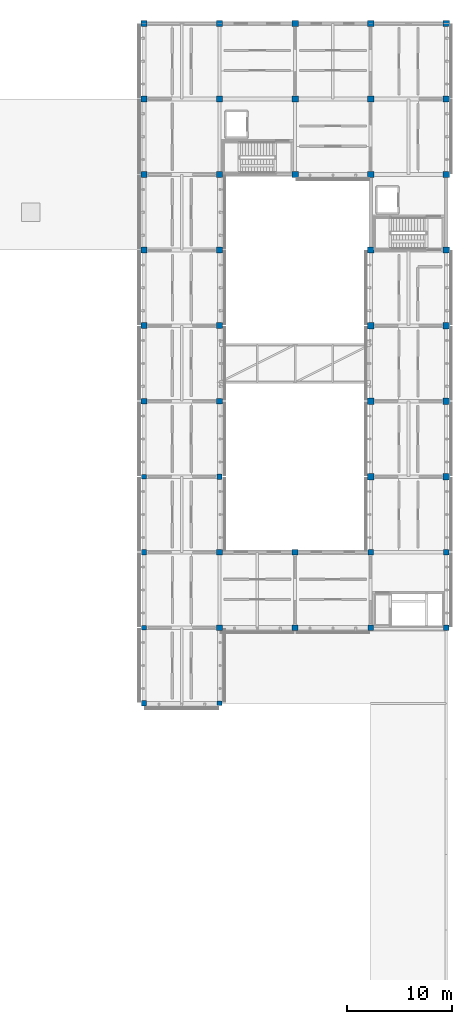
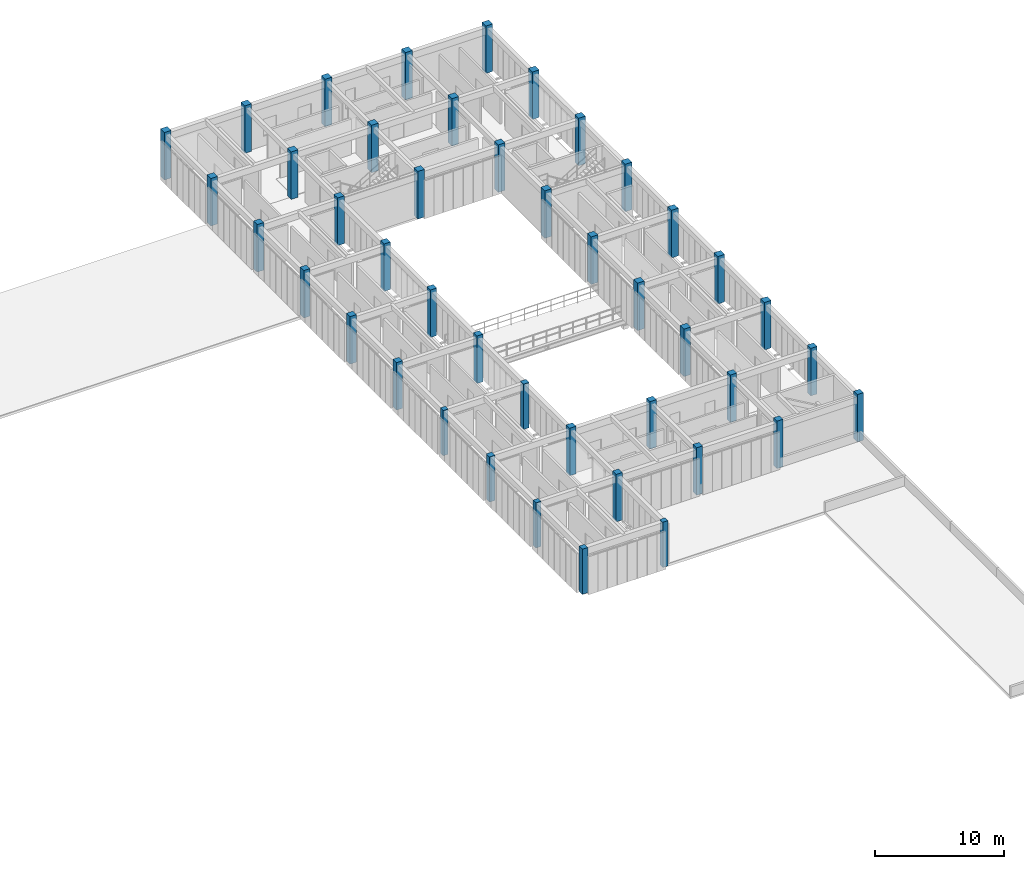
# One storey, part 2 of 91: 43 columns.
"""IFC4 building model written with IfcOpenShell, lengths in metres."""

from ifc_helpers import new_model, si_unit, direction, frame, origin, origin_2d, place, context, subcontext, project, spatial, rectangle, extrude, material, material_profile, profile_set, type_object, element, save


model = new_model("IFC4")

# Units and contexts
model_context = context("Model", 3, precision=1e-05, world=origin(), true_north=direction((0.0, 1.0)))
body_context = subcontext(model_context, "Body", "Model", "MODEL_VIEW")
ifc_project = project(units=[si_unit("LENGTHUNIT", "METRE"), si_unit("AREAUNIT", "SQUARE_METRE"), si_unit("VOLUMEUNIT", "CUBIC_METRE"), si_unit("PLANEANGLEUNIT", "RADIAN"), si_unit("MASSUNIT", "GRAM", prefix="KILO")], contexts=[model_context])

# Site, building, storey
site_placement = place(None, origin())
site = spatial("IfcSite", under=ifc_project, at=site_placement, CompositionType="ELEMENT")
building_placement = place(site_placement, origin())
building = spatial("IfcBuilding", under=site, at=building_placement, Name="Aldebral Square Health Centre", CompositionType="ELEMENT")
storey_placement = place(building_placement, frame((0.0, 0.0, 9.0)))
storey = spatial("IfcBuildingStorey", under=building, at=storey_placement, Name="L02", CompositionType="ELEMENT", Elevation=9.0)

# Columns
ifc_material = material(Name="Concrete C40/50", Category="concrete")
ifc_material_profile_1 = material_profile(ifc_material, rectangle(XDim=0.60009765625, YDim=0.60009765625, at=origin_2d()), Name="RC 600x600")
ifc_profile_set_1 = profile_set([ifc_material_profile_1], Name="Concrete C40/50")
column_type_1 = type_object("IfcColumnType", Name="COL-C3", PredefinedType="COLUMN", material=ifc_profile_set_1)
for number, where, z_axis, x_axis, name in (
    (1, (136.800048828125, 100.800048828125, 0.0), (0.0, 0.0, 1.0), (1.0, 0.0, 0.0), "L02 column 20/15"),
    (2, (136.800048828125, 108.0, 0.0), (0.0, 0.0, 1.0), (1.0, 0.0, 0.0), "L02 column 20/16"),
    (3, (136.800048828125, 115.199951171875, 0.0), (0.0, 0.0, 1.0), (1.0, 0.0, 0.0), "L02 column 20/17"),
    (4, (144.0, 100.800048828125, 0.0), (0.0, 0.0, 1.0), (1.0, 0.0, 0.0), "L02 column 21/15"),
    (5, (144.0, 108.0, 0.0), (0.0, 0.0, 1.0), (1.0, 0.0, 0.0), "L02 column 21/16"),
    (6, (144.0, 115.199951171875, 0.0), (0.0, 0.0, 1.0), (1.0, 0.0, 0.0), "L02 column 21/17"),
    (7, (151.199951171875, 100.800048828125, 0.0), (0.0, 0.0, 1.0), (1.0, 0.0, 0.0), "L02 column 22/15"),
    (8, (151.199951171875, 108.0, 0.0), (0.0, 0.0, 1.0), (1.0, 0.0, 0.0), "L02 column 22/16"),
    (9, (151.199951171875, 115.199951171875, 0.0), (0.0, 0.0, 1.0), (1.0, 0.0, 0.0), "L02 column 22/17"),
    (10, (158.39990234375, 72.0, 0.0), (0.0, 0.0, 1.0), (1.0, 0.0, 0.0), "L02 column 23/11"),
    (11, (158.39990234375, 79.199951171875, 0.0), (0.0, 0.0, 1.0), (1.0, 0.0, 0.0), "L02 column 23/12"),
    (12, (158.39990234375, 86.39990234375, 0.0), (0.0, 0.0, 1.0), (1.0, 0.0, 0.0), "L02 column 23/13"),
    (13, (158.39990234375, 93.60009765625, 0.0), (0.0, 0.0, 1.0), (1.0, 0.0, 0.0), "L02 column 23/14"),
    (14, (158.39990234375, 100.800048828125, 0.0), (0.0, 0.0, 1.0), (1.0, 0.0, 0.0), "L02 column 23/15"),
    (15, (158.39990234375, 108.0, 0.0), (0.0, 0.0, 1.0), (1.0, 0.0, 0.0), "L02 column 23/16"),
    (16, (158.39990234375, 115.199951171875, 0.0), (0.0, 0.0, 1.0), (1.0, 0.0, 0.0), "L02 column 23/17"),
    (17, (165.60009765625, 72.0, 0.0), (0.0, 0.0, 1.0), (1.0, 0.0, 0.0), "L02 column 24/11"),
    (18, (165.60009765625, 79.199951171875, 0.0), (0.0, 0.0, 1.0), (1.0, 0.0, 0.0), "L02 column 24/12"),
    (19, (165.60009765625, 86.39990234375, 0.0), (0.0, 0.0, 1.0), (1.0, 0.0, 0.0), "L02 column 24/13"),
    (20, (165.60009765625, 93.60009765625, 0.0), (0.0, 0.0, 1.0), (1.0, 0.0, 0.0), "L02 column 24/14"),
    (21, (165.60009765625, 100.800048828125, 0.0), (0.0, 0.0, 1.0), (1.0, 0.0, 0.0), "L02 column 24/15"),
    (22, (165.60009765625, 108.0, 0.0), (0.0, 0.0, 1.0), (1.0, 0.0, 0.0), "L02 column 24/16"),
    (23, (165.60009765625, 115.199951171875, 0.0), (0.0, 0.0, 1.0), (1.0, 0.0, 0.0), "L02 column 24/17"),
):
    element("IfcColumn", number, at=place(storey_placement, frame(where, z_axis=z_axis, x_axis=x_axis)), inside=storey, type_object=column_type_1, Name=name, PredefinedType="COLUMN", context=body_context, shape_type="SweptSolid", body=[
        extrude(rectangle(XDim=0.60009765625, YDim=0.60009765625, at=origin_2d()), origin(), (0.0, 0.0, 1.0), 4.5),
    ])
ifc_material_profile_2 = material_profile(ifc_material, rectangle(XDim=0.550048828125, YDim=0.550048828125, at=origin_2d()), Name="RC 550x550")
ifc_profile_set_2 = profile_set([ifc_material_profile_2], Name="Concrete C40/50")
column_type_2 = type_object("IfcColumnType", Name="COL-C4", PredefinedType="COLUMN", material=ifc_profile_set_2)
for number, where, z_axis, x_axis, name in (
    (24, (136.800048828125, 79.199951171875, 0.0), (0.0, 0.0, 1.0), (1.0, 0.0, 0.0), "L02 column 20/12"),
    (25, (136.800048828125, 86.39990234375, 0.0), (0.0, 0.0, 1.0), (1.0, 0.0, 0.0), "L02 column 20/13"),
    (26, (136.800048828125, 93.60009765625, 0.0), (0.0, 0.0, 1.0), (1.0, 0.0, 0.0), "L02 column 20/14"),
    (27, (144.0, 57.60009765625, 0.0), (0.0, 0.0, 1.0), (1.0, 0.0, 0.0), "L02 column 21/9"),
    (28, (144.0, 64.800048828125, 0.0), (0.0, 0.0, 1.0), (1.0, 0.0, 0.0), "L02 column 21/10"),
    (29, (144.0, 79.199951171875, 0.0), (0.0, 0.0, 1.0), (1.0, 0.0, 0.0), "L02 column 21/12"),
    (30, (144.0, 86.39990234375, 0.0), (0.0, 0.0, 1.0), (1.0, 0.0, 0.0), "L02 column 21/13"),
    (31, (144.0, 93.60009765625, 0.0), (0.0, 0.0, 1.0), (1.0, 0.0, 0.0), "L02 column 21/14"),
    (32, (151.199951171875, 57.60009765625, 0.0), (0.0, 0.0, 1.0), (1.0, 0.0, 0.0), "L02 column 22/9"),
    (33, (151.199951171875, 64.800048828125, 0.0), (0.0, 0.0, 1.0), (1.0, 0.0, 0.0), "L02 column 22/10"),
    (34, (158.39990234375, 57.60009765625, 0.0), (0.0, 0.0, 1.0), (1.0, 0.0, 0.0), "L02 column 23/9"),
    (35, (158.39990234375, 64.800048828125, 0.0), (0.0, 0.0, 1.0), (1.0, 0.0, 0.0), "L02 column 23/10"),
    (36, (165.60009765625, 57.60009765625, 0.0), (0.0, 0.0, 1.0), (1.0, 0.0, 0.0), "L02 column 24/9"),
    (37, (165.60009765625, 64.800048828125, 0.0), (0.0, 0.0, 1.0), (1.0, 0.0, 0.0), "L02 column 24/10"),
):
    element("IfcColumn", number, at=place(storey_placement, frame(where, z_axis=z_axis, x_axis=x_axis)), inside=storey, type_object=column_type_2, Name=name, PredefinedType="COLUMN", context=body_context, shape_type="SweptSolid", body=[
        extrude(rectangle(XDim=0.550048828125, YDim=0.550048828125, at=origin_2d()), origin(), (0.0, 0.0, 1.0), 4.5),
    ])
ifc_material_profile_3 = material_profile(ifc_material, rectangle(XDim=0.5, YDim=0.5, at=origin_2d()), Name="RC 500x500")
ifc_profile_set_3 = profile_set([ifc_material_profile_3], Name="Concrete C40/50")
column_type_3 = type_object("IfcColumnType", Name="COL-C5", PredefinedType="COLUMN", material=ifc_profile_set_3)
for number, where, z_axis, x_axis, name in (
    (38, (136.800048828125, 50.39990234375, 0.0), (0.0, 0.0, 1.0), (1.0, 0.0, 0.0), "L02 column 20/8"),
    (39, (136.800048828125, 64.800048828125, 0.0), (0.0, 0.0, 1.0), (1.0, 0.0, 0.0), "L02 column 20/10"),
    (40, (144.0, 72.0, 0.0), (0.0, 0.0, 1.0), (1.0, 0.0, 0.0), "L02 column 21/11"),
):
    element("IfcColumn", number, at=place(storey_placement, frame(where, z_axis=z_axis, x_axis=x_axis)), inside=storey, type_object=column_type_3, Name=name, PredefinedType="COLUMN", context=body_context, shape_type="SweptSolid", body=[
        extrude(rectangle(XDim=0.5, YDim=0.5, at=origin_2d()), origin(), (0.0, 0.0, 1.0), 4.280029296875),
    ])
ifc_material_profile_4 = material_profile(ifc_material, rectangle(XDim=0.449951171875, YDim=0.449951171875, at=origin_2d()), Name="RC 450x450")
ifc_profile_set_4 = profile_set([ifc_material_profile_4], Name="Concrete C40/50")
column_type_4 = type_object("IfcColumnType", Name="COL-C6", PredefinedType="COLUMN", material=ifc_profile_set_4)
for number, where, z_axis, x_axis, name in (
    (41, (136.800048828125, 57.60009765625, 0.0), (0.0, 0.0, 1.0), (1.0, 0.0, 0.0), "L02 column 20/9"),
    (42, (136.800048828125, 72.0, 0.0), (0.0, 0.0, 1.0), (1.0, 0.0, 0.0), "L02 column 20/11"),
    (43, (144.0, 50.39990234375, 0.0), (0.0, 0.0, 1.0), (1.0, 0.0, 0.0), "L02 column 21/8"),
):
    element("IfcColumn", number, at=place(storey_placement, frame(where, z_axis=z_axis, x_axis=x_axis)), inside=storey, type_object=column_type_4, Name=name, PredefinedType="COLUMN", context=body_context, shape_type="SweptSolid", body=[
        extrude(rectangle(XDim=0.449951171875, YDim=0.449951171875, at=origin_2d()), origin(), (0.0, 0.0, 1.0), 4.280029296875),
    ])

save(model, "model.ifc")
